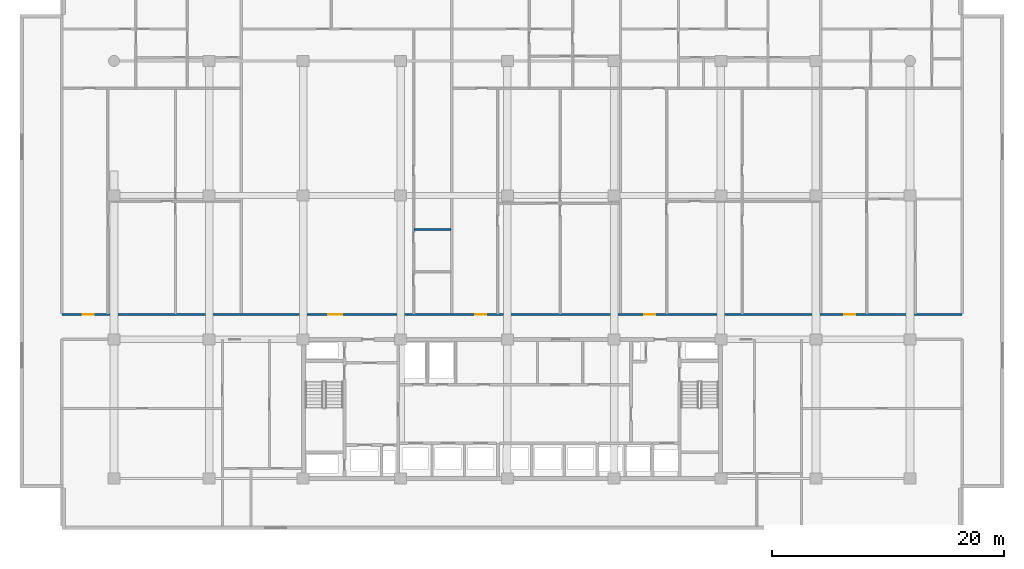
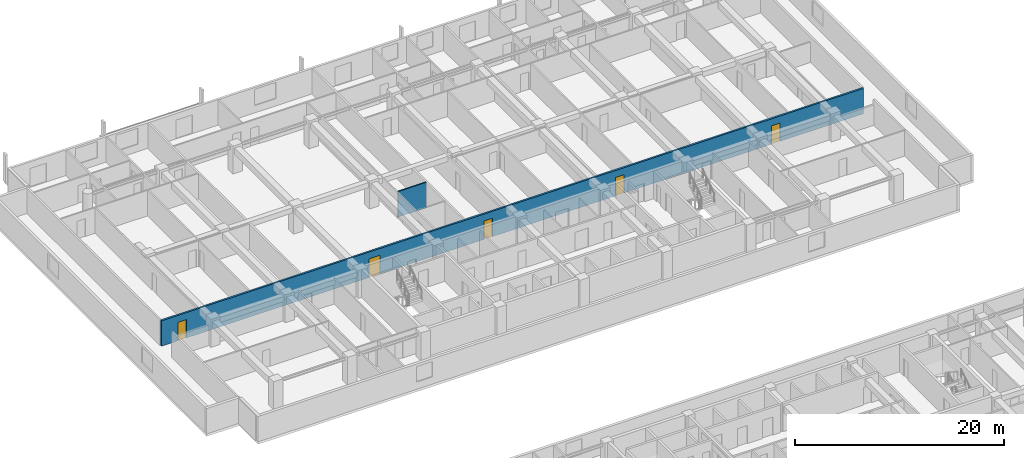
# One storey, part 12 of 23: 5 doors, 2 walls, 5 openings.
"""IFC4 building model written with IfcOpenShell, lengths in metres."""

from ifc_helpers import new_model, si_unit, direction, frame, frame_2d, origin, place, context, subcontext, project, spatial, rectangle, extrude, material, layer, layer_set, type_object, element, fill, save


model = new_model("IFC4")

# Units and contexts
model_context = context("Model", 3, precision=1e-05, world=origin(), true_north=direction((0.0, 1.0)))
body_context = subcontext(model_context, "Body", "Model", "MODEL_VIEW")
ifc_project = project(units=[si_unit("LENGTHUNIT", "METRE"), si_unit("AREAUNIT", "SQUARE_METRE"), si_unit("VOLUMEUNIT", "CUBIC_METRE"), si_unit("PLANEANGLEUNIT", "RADIAN"), si_unit("MASSUNIT", "GRAM", prefix="KILO")], contexts=[model_context])

# Site, building, storey
site_placement = place(None, origin())
site = spatial("IfcSite", under=ifc_project, at=site_placement, CompositionType="ELEMENT")
building_placement = place(site_placement, origin())
building = spatial("IfcBuilding", under=site, at=building_placement, Name="Korimba Cascade Residences", CompositionType="ELEMENT")
storey_placement = place(building_placement, frame((0.0, 0.0, 46.75)))
storey = spatial("IfcBuildingStorey", under=building, at=storey_placement, Name="L12", CompositionType="ELEMENT", Elevation=46.75)

# Wall, openings, doors
ifc_material_1 = material(Name="Precast concrete C40/50", Category="concrete")
ifc_layer_1 = layer(ifc_material_1, 0.199951171875)
ifc_layer_set_1 = layer_set([ifc_layer_1], Name="Precast concrete C40/50")
wall_type_1 = type_object("IfcWallType", Name="WAL-IT-200", PredefinedType="PARTITIONING", material=ifc_layer_set_1)
wall_1_placement = place(storey_placement, frame((55.300048828125, 69.35009765625, 0.0), z_axis=(0.0, 0.0, 1.0), x_axis=(1.0, 0.0, 0.0)))
wall_1 = element("IfcWall", 1, at=wall_1_placement, inside=storey, type_object=wall_type_1, Name="L12 Partition Wall WAL-L12-T1-CORN", PredefinedType="PARTITIONING", context=body_context, shape_type="SweptSolid", body=[
    extrude(rectangle(XDim=77.599853515625, YDim=0.199951171875, at=frame_2d((38.7998046875, 0.0))), origin(), (0.0, 0.0, 1.0), 2.969970703125),
])
opening_1_placement = place(wall_1_placement, frame((1.81005859375, 0.0, 0.0)))
opening_1 = element("IfcOpeningElement", 2, at=opening_1_placement, cuts=wall_1, Name="Opening D-UN1", PredefinedType="OPENING", context=body_context, shape_type="SweptSolid", body=[
    extrude(rectangle(XDim=0.949951171875, YDim=2.14990234375, at=frame_2d((0.47509765625, 1.074951171875))), frame((0.0, 0.10986328125, 0.0), z_axis=(0.0, -1.0, 0.0), x_axis=(1.0, 0.0, 0.0)), (0.0, 0.0, 1.0), 0.219970703125),
])
opening_2_placement = place(wall_1_placement, frame((22.94970703125, 0.0, 0.0)))
opening_2 = element("IfcOpeningElement", 3, at=opening_2_placement, cuts=wall_1, Name="Opening D-AM1", PredefinedType="OPENING", context=body_context, shape_type="SweptSolid", body=[
    extrude(rectangle(XDim=1.219970703125, YDim=2.179931640625, at=frame_2d((0.60986328125, 1.08984375))), frame((0.0, 0.10986328125, 0.0), z_axis=(0.0, -1.0, 0.0), x_axis=(1.0, 0.0, 0.0)), (0.0, 0.0, 1.0), 0.219970703125),
])
opening_3_placement = place(wall_1_placement, frame((35.639404296875, 0.0, 0.0)))
opening_3 = element("IfcOpeningElement", 4, at=opening_3_placement, cuts=wall_1, Name="Opening D-UN1", PredefinedType="OPENING", context=body_context, shape_type="SweptSolid", body=[
    extrude(rectangle(XDim=0.949951171875, YDim=2.14990234375, at=frame_2d((0.47509765625, 1.074951171875))), frame((0.0, 0.10986328125, 0.0), z_axis=(0.0, -1.0, 0.0), x_axis=(1.0, 0.0, 0.0)), (0.0, 0.0, 1.0), 0.219970703125),
])
opening_4_placement = place(wall_1_placement, frame((50.202392578125, 0.0, 0.0)))
opening_4 = element("IfcOpeningElement", 5, at=opening_4_placement, cuts=wall_1, Name="Opening D-UN1", PredefinedType="OPENING", context=body_context, shape_type="SweptSolid", body=[
    extrude(rectangle(XDim=0.949951171875, YDim=2.14990234375, at=frame_2d((0.47509765625, 1.074951171875))), frame((0.0, 0.10986328125, 0.0), z_axis=(0.0, -1.0, 0.0), x_axis=(1.0, 0.0, 0.0)), (0.0, 0.0, 1.0), 0.219970703125),
])
opening_5_placement = place(wall_1_placement, frame((67.44970703125, 0.0, 0.0)))
opening_5 = element("IfcOpeningElement", 6, at=opening_5_placement, cuts=wall_1, Name="Opening D-UN1", PredefinedType="OPENING", context=body_context, shape_type="SweptSolid", body=[
    extrude(rectangle(XDim=0.949951171875, YDim=2.14990234375, at=frame_2d((0.47509765625, 1.074951171875))), frame((0.0, 0.10986328125, 0.0), z_axis=(0.0, -1.0, 0.0), x_axis=(1.0, 0.0, 0.0)), (0.0, 0.0, 1.0), 0.219970703125),
])
ifc_material_2 = material(Name="Fire-Rated Glazed Timber Suite Door", Category="wood")
door_type_1 = type_object("IfcDoorType", Name="DR-FD60-1200", OperationType="NOTDEFINED", PredefinedType="DOOR", material=ifc_material_2)
door_1_placement = place(opening_2_placement, origin())
door_1 = element("IfcDoor", 7, at=door_1_placement, inside=storey, type_object=door_type_1, Name="L12-T1-U02 Resident Conference Room Door", OperationType="SINGLE_SWING_RIGHT", OverallHeight=2.179931640625, OverallWidth=1.219970703125, PredefinedType="DOOR", context=body_context, shape_type="SweptSolid", body=[
    extrude(rectangle(XDim=1.219970703125, YDim=2.179931640625, at=frame_2d((0.60986328125, 1.08984375))), frame((0.0, 0.02490234375, 0.0), z_axis=(0.0, -1.0, 0.0), x_axis=(1.0, 0.0, 0.0)), (0.0, 0.0, 1.0), 0.050048828125),
])
fill(opening_2, door_1)
ifc_material_3 = material(Name="Fire-Rated Hardwood Apartment Entrance Door", Category="wood")
door_type_2 = type_object("IfcDoorType", Name="DR-FD60-950", OperationType="NOTDEFINED", PredefinedType="DOOR", material=ifc_material_3)
door_2_placement = place(opening_1_placement, origin())
door_2 = element("IfcDoor", 8, at=door_2_placement, inside=storey, type_object=door_type_2, Name="Unit L12-T1-U01 Entrance Door", OperationType="SINGLE_SWING_LEFT", OverallHeight=2.14990234375, OverallWidth=0.949951171875, PredefinedType="DOOR", context=body_context, shape_type="SweptSolid", body=[
    extrude(rectangle(XDim=0.949951171875, YDim=2.14990234375, at=frame_2d((0.47509765625, 1.074951171875))), frame((0.0, 0.02490234375, 0.0), z_axis=(0.0, -1.0, 0.0), x_axis=(1.0, 0.0, 0.0)), (0.0, 0.0, 1.0), 0.050048828125),
])
fill(opening_1, door_2)
door_3_placement = place(opening_3_placement, origin())
door_3 = element("IfcDoor", 9, at=door_3_placement, inside=storey, type_object=door_type_2, Name="Unit L12-T1-U03 Entrance Door", OperationType="SINGLE_SWING_LEFT", OverallHeight=2.14990234375, OverallWidth=0.949951171875, PredefinedType="DOOR", context=body_context, shape_type="SweptSolid", body=[
    extrude(rectangle(XDim=0.949951171875, YDim=2.14990234375, at=frame_2d((0.47509765625, 1.074951171875))), frame((0.0, 0.02490234375, 0.0), z_axis=(0.0, -1.0, 0.0), x_axis=(1.0, 0.0, 0.0)), (0.0, 0.0, 1.0), 0.050048828125),
])
fill(opening_3, door_3)
door_4_placement = place(opening_4_placement, origin())
door_4 = element("IfcDoor", 10, at=door_4_placement, inside=storey, type_object=door_type_2, Name="Unit L12-T1-U04 Entrance Door", OperationType="SINGLE_SWING_RIGHT", OverallHeight=2.14990234375, OverallWidth=0.949951171875, PredefinedType="DOOR", context=body_context, shape_type="SweptSolid", body=[
    extrude(rectangle(XDim=0.949951171875, YDim=2.14990234375, at=frame_2d((0.47509765625, 1.074951171875))), frame((0.0, 0.02490234375, 0.0), z_axis=(0.0, -1.0, 0.0), x_axis=(1.0, 0.0, 0.0)), (0.0, 0.0, 1.0), 0.050048828125),
])
fill(opening_4, door_4)
door_5_placement = place(opening_5_placement, origin())
door_5 = element("IfcDoor", 11, at=door_5_placement, inside=storey, type_object=door_type_2, Name="Unit L12-T1-U05 Entrance Door", OperationType="SINGLE_SWING_LEFT", OverallHeight=2.14990234375, OverallWidth=0.949951171875, PredefinedType="DOOR", context=body_context, shape_type="SweptSolid", body=[
    extrude(rectangle(XDim=0.949951171875, YDim=2.14990234375, at=frame_2d((0.47509765625, 1.074951171875))), frame((0.0, 0.02490234375, 0.0), z_axis=(0.0, -1.0, 0.0), x_axis=(1.0, 0.0, 0.0)), (0.0, 0.0, 1.0), 0.050048828125),
])
fill(opening_5, door_5)

# Wall
ifc_material_4 = material(Name="Insulated Acoustic Stud Partition", Category="gypsum")
ifc_layer_2 = layer(ifc_material_4, 0.14990234375)
ifc_layer_set_2 = layer_set([ifc_layer_2], Name="Insulated Acoustic Stud Partition")
wall_type_2 = type_object("IfcWallType", Name="WAL-PART-150", PredefinedType="PARTITIONING", material=ifc_layer_set_2)
wall_2_placement = place(storey_placement, frame((85.684326171875, 76.669921875, 0.0), z_axis=(0.0, 0.0, 1.0), x_axis=(1.0, 0.0, 0.0)))
element("IfcWall", 12, at=wall_2_placement, inside=storey, type_object=wall_type_2, Name="L12 Partition Wall WAL-L12-T1-U02-WCH2", PredefinedType="PARTITIONING", context=body_context, shape_type="SweptSolid", body=[
    extrude(rectangle(XDim=3.1298828125, YDim=0.14990234375, at=frame_2d((1.56494140625, 0.0))), origin(), (0.0, 0.0, 1.0), 2.969970703125),
])

save(model, "model.ifc")
